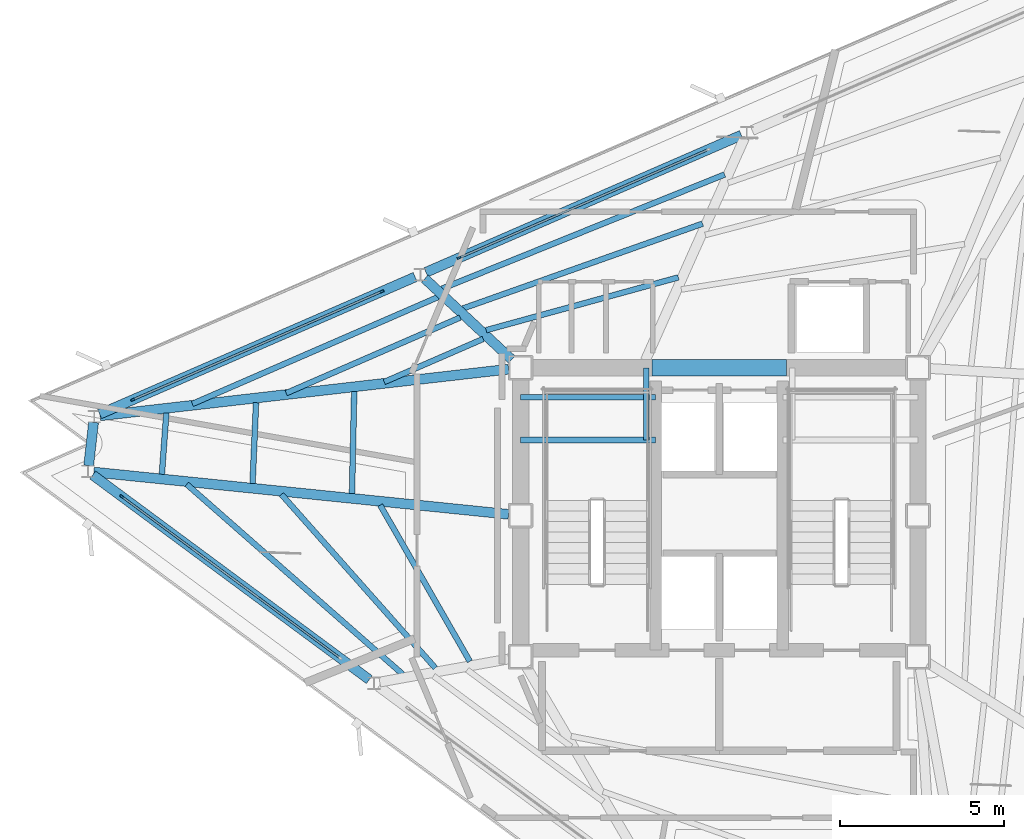
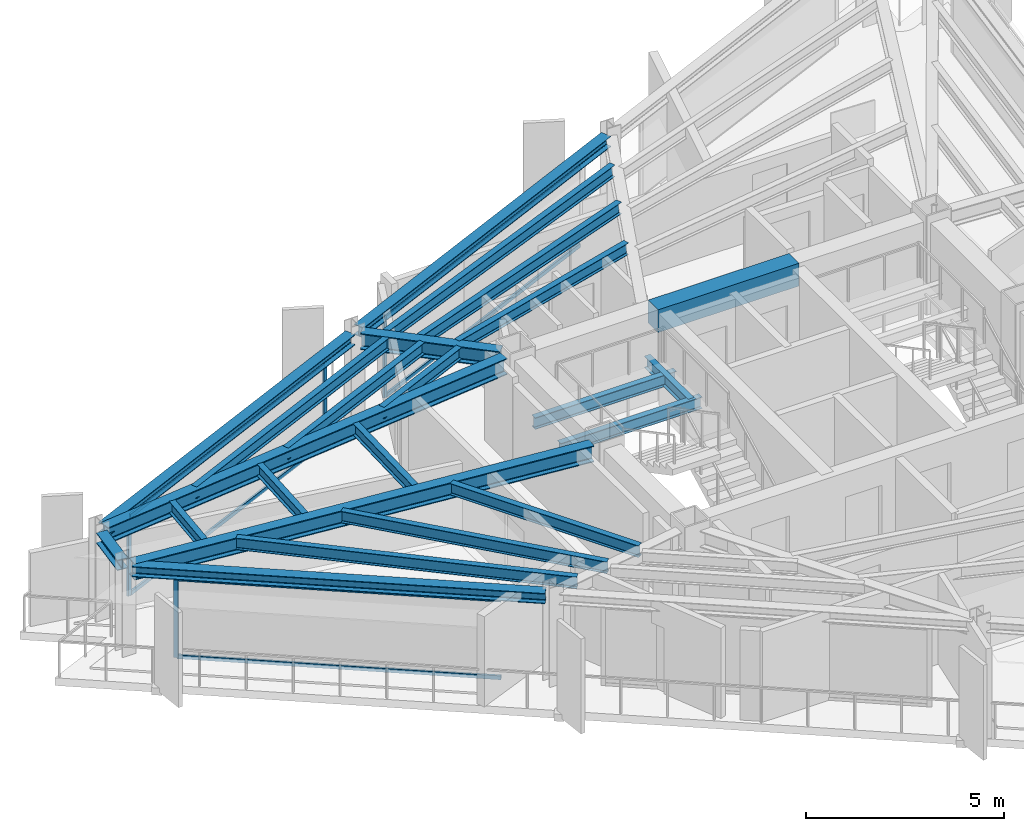
# One storey, part 3 of 10: 23 beams, 10 members, 3 elements without a shape of their own.
"""IFC4 building model written with IfcOpenShell, lengths in metres."""

from ifc_helpers import new_model, si_unit, direction, frame, origin, origin_2d, place, context, subcontext, project, spatial, rectangle, i_section, extrude, material, layer, layer_set, material_profile, profile_set, type_object, element, aggregate, save


model = new_model("IFC4")

# Units and contexts
model_context = context("Model", 3, precision=1e-05, world=origin(), true_north=direction((0.0, 1.0)))
body_context = subcontext(model_context, "Body", "Model", "MODEL_VIEW")
ifc_project = project(units=[si_unit("LENGTHUNIT", "METRE"), si_unit("AREAUNIT", "SQUARE_METRE"), si_unit("VOLUMEUNIT", "CUBIC_METRE"), si_unit("PLANEANGLEUNIT", "RADIAN"), si_unit("MASSUNIT", "GRAM", prefix="KILO")], contexts=[model_context])

# Site, building, storey
site_placement = place(None, origin())
site = spatial("IfcSite", under=ifc_project, at=site_placement, CompositionType="ELEMENT")
building_placement = place(site_placement, origin())
building = spatial("IfcBuilding", under=site, at=building_placement, Name="Rocaltana Carrier Exchange", CompositionType="ELEMENT")
storey_placement = place(building_placement, frame((0.0, 0.0, 220.9599609375)))
storey = spatial("IfcBuildingStorey", under=building, at=storey_placement, Name="L70", CompositionType="ELEMENT", Elevation=220.9599609375)

# Curtain wall, member
ifc_material_1 = material(Name="Aluminium 6063-T6", Category="aluminium")
ifc_layer = layer(ifc_material_1, 0.1201171875)
ifc_layer_set = layer_set([ifc_layer], Name="Aluminium 6063-T6")
curtain_wall_type = type_object("IfcCurtainWallType", Name="High-Altitude Thermal Curtain Wall CW-05", PredefinedType="NOTDEFINED", material=ifc_layer_set)
curtain_wall_1_placement = place(storey_placement, origin())
curtain_wall_1 = element("IfcCurtainWall", 1, at=curtain_wall_1_placement, inside=storey, type_object=curtain_wall_type, Name="L70 CW-05 Run CW-L70-F2S2", PredefinedType="NOTDEFINED")
ifc_material_2 = material(Name="Aluminium 6063-T6", Category="aluminium")
ifc_material_profile_1 = material_profile(ifc_material_2, rectangle(XDim=0.06005859375, YDim=0.1201171875, at=origin_2d()), Name="AL-60X120")
ifc_profile_set_1 = profile_set([ifc_material_profile_1], Name="Aluminium 6063-T6")
member_type_1 = type_object("IfcMemberType", Name="CW-05 Mullion AL-60X120", PredefinedType="MULLION", material=ifc_profile_set_1)
member_1_placement = place(storey_placement, frame((-7.922607421875, 7.846435546875, 0.0), z_axis=(0.0, 0.0, 1.0), x_axis=(0.398752438254, -0.917058609352, 0.0)))
member_1 = element("IfcMember", 2, at=member_1_placement, type_object=member_type_1, Name="CW-05 mullion 2", PredefinedType="MULLION", context=body_context, shape_type="SweptSolid", body=[
    extrude(rectangle(XDim=0.06005859375, YDim=0.1201171875, at=origin_2d()), origin(), (0.0, 0.0, 1.0), 2.447998046875),
])

# Curtain wall, members
curtain_wall_2_placement = place(storey_placement, origin())
curtain_wall_2 = element("IfcCurtainWall", 3, at=curtain_wall_2_placement, inside=storey, type_object=curtain_wall_type, Name="L70 CW-05 Run CW-L70-F2S3", PredefinedType="NOTDEFINED")
member_2_placement = place(storey_placement, frame((-10.270263671875, 6.82568359375, 0.0), z_axis=(0.0, 0.0, 1.0), x_axis=(0.39875682637, -0.917056701313, 0.0)))
member_2 = element("IfcMember", 4, at=member_2_placement, type_object=member_type_1, Name="CW-05 mullion 1", PredefinedType="MULLION", context=body_context, shape_type="SweptSolid", body=[
    extrude(rectangle(XDim=0.06005859375, YDim=0.1201171875, at=origin_2d()), origin(), (0.0, 0.0, 1.0), 2.447998046875),
])
member_3_placement = place(storey_placement, frame((-17.857421875, 3.526611328125, 0.0), z_axis=(0.0, 0.0, 1.0), x_axis=(0.39875682637, -0.917056701313, 0.0)))
member_3 = element("IfcMember", 5, at=member_3_placement, type_object=member_type_1, Name="CW-05 mullion 2", PredefinedType="MULLION", context=body_context, shape_type="SweptSolid", body=[
    extrude(rectangle(XDim=0.06005859375, YDim=0.1201171875, at=origin_2d()), origin(), (0.0, 0.0, 1.0), 2.447998046875),
])

# Curtain wall, member
curtain_wall_3_placement = place(storey_placement, origin())
curtain_wall_3 = element("IfcCurtainWall", 6, at=curtain_wall_3_placement, inside=storey, type_object=curtain_wall_type, Name="L70 CW-05 Run CW-L70-F3S1", PredefinedType="NOTDEFINED")
member_4_placement = place(storey_placement, frame((-18.19287109375, 0.580810546875, 0.0), z_axis=(0.0, 0.0, 1.0), x_axis=(0.594826566974, 0.803854063386, 0.0)))
member_4 = element("IfcMember", 7, at=member_4_placement, type_object=member_type_1, Name="CW-05 mullion 1", PredefinedType="MULLION", context=body_context, shape_type="SweptSolid", body=[
    extrude(rectangle(XDim=0.06005859375, YDim=0.1201171875, at=origin_2d()), origin(), (0.0, 0.0, 1.0), 2.447998046875),
])

# Member
ifc_material_3 = material(Name="Aluminium 6063-T6", Category="aluminium")
ifc_material_profile_2 = material_profile(ifc_material_3, rectangle(XDim=0.06005859375, YDim=0.1201171875, at=origin_2d()), Name="AL-60X120")
ifc_profile_set_2 = profile_set([ifc_material_profile_2], Name="Aluminium 6063-T6")
member_type_2 = type_object("IfcMemberType", Name="CW-05 Transom AL-60X120", PredefinedType="USERDEFINED", material=ifc_profile_set_2)
member_5_placement = place(storey_placement, frame((-0.36279296875, 11.133544921875, 0.030029296875), z_axis=(-0.917058241688, -0.398753283814, 0.0), x_axis=(0.398753283814, -0.917058241688, 0.0)))
member_5 = element("IfcMember", 8, at=member_5_placement, type_object=member_type_2, Name="CW-05 transom 1.1", ObjectType="TRANSOM", PredefinedType="USERDEFINED", context=body_context, shape_type="SweptSolid", body=[
    extrude(rectangle(XDim=0.06005859375, YDim=0.1201171875, at=origin_2d()), origin(), (0.0, 0.0, 1.0), 8.21337890625),
])

member_6_placement = place(storey_placement, frame((-0.36279296875, 11.133544921875, 2.41796875), z_axis=(-0.917058241688, -0.398753283814, 0.0), x_axis=(0.398753283814, -0.917058241688, 0.0)))
member_6 = element("IfcMember", 9, at=member_6_placement, type_object=member_type_2, Name="CW-05 transom 1.2", ObjectType="TRANSOM", PredefinedType="USERDEFINED", context=body_context, shape_type="SweptSolid", body=[
    extrude(rectangle(XDim=0.06005859375, YDim=0.1201171875, at=origin_2d()), origin(), (0.0, 0.0, 1.0), 8.21337890625),
])

aggregate(curtain_wall_1, [member_1, member_5, member_6])

member_7_placement = place(storey_placement, frame((-10.297607421875, 6.813720703125, 0.030029296875), z_axis=(-0.917058241688, -0.398753283814, 0.0), x_axis=(0.398753283814, -0.917058241688, 0.0)))
member_7 = element("IfcMember", 10, at=member_7_placement, type_object=member_type_2, Name="CW-05 transom 1.1", ObjectType="TRANSOM", PredefinedType="USERDEFINED", context=body_context, shape_type="SweptSolid", body=[
    extrude(rectangle(XDim=0.06005859375, YDim=0.1201171875, at=origin_2d()), origin(), (0.0, 0.0, 1.0), 8.21337890625),
])

member_8_placement = place(storey_placement, frame((-10.297607421875, 6.813720703125, 2.41796875), z_axis=(-0.917058241688, -0.398753283814, 0.0), x_axis=(0.398753283814, -0.917058241688, 0.0)))
member_8 = element("IfcMember", 11, at=member_8_placement, type_object=member_type_2, Name="CW-05 transom 1.2", ObjectType="TRANSOM", PredefinedType="USERDEFINED", context=body_context, shape_type="SweptSolid", body=[
    extrude(rectangle(XDim=0.06005859375, YDim=0.1201171875, at=origin_2d()), origin(), (0.0, 0.0, 1.0), 8.21337890625),
])

aggregate(curtain_wall_2, [member_2, member_3, member_7, member_8])

member_9_placement = place(storey_placement, frame((-18.1689453125, 0.56298828125, 0.030029296875), z_axis=(0.803853553959, -0.594827255418, 0.0), x_axis=(0.594827255418, 0.803853553959, 0.0)))
member_9 = element("IfcMember", 12, at=member_9_placement, type_object=member_type_2, Name="CW-05 transom 1.1", ObjectType="TRANSOM", PredefinedType="USERDEFINED", context=body_context, shape_type="SweptSolid", body=[
    extrude(rectangle(XDim=0.06005859375, YDim=0.1201171875, at=origin_2d()), origin(), (0.0, 0.0, 1.0), 8.21337890625),
])

member_10_placement = place(storey_placement, frame((-18.1689453125, 0.56298828125, 2.41796875), z_axis=(0.803853553959, -0.594827255418, 0.0), x_axis=(0.594827255418, 0.803853553959, 0.0)))
member_10 = element("IfcMember", 13, at=member_10_placement, type_object=member_type_2, Name="CW-05 transom 1.2", ObjectType="TRANSOM", PredefinedType="USERDEFINED", context=body_context, shape_type="SweptSolid", body=[
    extrude(rectangle(XDim=0.06005859375, YDim=0.1201171875, at=origin_2d()), origin(), (0.0, 0.0, 1.0), 8.21337890625),
])

aggregate(curtain_wall_3, [member_4, member_9, member_10])

# Beams
ifc_material_4 = material(Name="Concrete C60/75", Category="concrete")
ifc_material_profile_3 = material_profile(ifc_material_4, rectangle(XDim=0.5, YDim=0.699951171875, at=origin_2d()), Name="RC-BM-500X700")
ifc_profile_set_3 = profile_set([ifc_material_profile_3], Name="Concrete C60/75")
beam_type_1 = type_object("IfcBeamType", Name="Core Coupling Lintel 500x700", PredefinedType="LINTEL", material=ifc_profile_set_3)
beam_1_placement = place(storey_placement, frame((-2.050048828125, 4.5, 2.447998046875), z_axis=(1.0, 0.0, 0.0), x_axis=(0.0, 1.0, 0.0)))
element("IfcBeam", 14, at=beam_1_placement, inside=storey, type_object=beam_type_1, Name="L70 Core Coupling Lintel CL-N", PredefinedType="LINTEL", context=body_context, shape_type="SweptSolid", body=[
    extrude(rectangle(XDim=0.5, YDim=0.699951171875, at=origin_2d()), origin(), (0.0, 0.0, 1.0), 4.10009765625),
])
ifc_material_5 = material(Name="Steel S355", Category="steel")
ifc_material_profile_4 = material_profile(ifc_material_5, i_section(OverallWidth=0.172119140625, OverallDepth=0.35791015625, WebThickness=0.0078125, FlangeThickness=0.01318359375, FilletRadius=0.011962890625, at=origin_2d()), Name="W14X38")
ifc_profile_set_4 = profile_set([ifc_material_profile_4], Name="Steel S355")
beam_type_2 = type_object("IfcBeamType", Name="Floor Joist W14X38", PredefinedType="JOIST", material=ifc_profile_set_4)
for number, where, z_axis, x_axis, name in (
    (15, (-6.050048828125, 2.300048828125, 1.14111328125), (1.0, 0.0, 0.0), (0.0, 1.0, 0.0), "L70 ST-1 Landing Carrier 1"),
    (16, (-6.050048828125, 3.60009765625, 1.14111328125), (1.0, 0.0, 0.0), (0.0, 1.0, 0.0), "L70 ST-1 Landing Carrier 2"),
):
    element("IfcBeam", number, at=place(storey_placement, frame(where, z_axis=z_axis, x_axis=x_axis)), inside=storey, type_object=beam_type_2, Name=name, PredefinedType="JOIST", context=body_context, shape_type="SweptSolid", body=[
        extrude(i_section(OverallWidth=0.172119140625, OverallDepth=0.35791015625, WebThickness=0.0078125, FlangeThickness=0.01318359375, FilletRadius=0.011962890625, at=origin_2d()), origin(), (0.0, 0.0, 1.0), 4.110107421875),
    ])
beam_2_placement = place(storey_placement, frame((-2.219970703125, 2.300048828125, 1.14111328125), z_axis=(0.0, 1.0, 0.0), x_axis=(-1.0, 0.0, 0.0)))
element("IfcBeam", 17, at=beam_2_placement, inside=storey, type_object=beam_type_2, Name="L70 ST-1 Landing Cross Trimmer", PredefinedType="JOIST", context=body_context, shape_type="SweptSolid", body=[
    extrude(i_section(OverallWidth=0.172119140625, OverallDepth=0.35791015625, WebThickness=0.0078125, FlangeThickness=0.01318359375, FilletRadius=0.011962890625, at=origin_2d()), origin(), (0.0, 0.0, 1.0), 2.199951171875),
])
beam_3_placement = place(storey_placement, frame((-1.245361328125, 7.252685546875, 2.619140625), z_axis=(-0.964263719162, -0.26494429586, 0.0), x_axis=(0.26494429586, -0.964263719162, 0.0)))
element("IfcBeam", 18, at=beam_3_placement, inside=storey, type_object=beam_type_2, Name="FJ-L70-06-1", PredefinedType="JOIST", context=body_context, shape_type="SweptSolid", body=[
    extrude(i_section(OverallWidth=0.172119140625, OverallDepth=0.35791015625, WebThickness=0.0078125, FlangeThickness=0.01318359375, FilletRadius=0.011962890625, at=origin_2d()), origin(), (0.0, 0.0, 1.0), 6.07080078125),
])
beam_4_placement = place(storey_placement, frame((-0.5087890625, 8.888427734375, 2.619140625), z_axis=(-0.942681203014, -0.333694695019, 0.0), x_axis=(0.333694695019, -0.942681203014, 0.0)))
element("IfcBeam", 19, at=beam_4_placement, inside=storey, type_object=beam_type_2, Name="FJ-L70-06-2", PredefinedType="JOIST", context=body_context, shape_type="SweptSolid", body=[
    extrude(i_section(OverallWidth=0.172119140625, OverallDepth=0.35791015625, WebThickness=0.0078125, FlangeThickness=0.01318359375, FilletRadius=0.011962890625, at=origin_2d()), origin(), (0.0, 0.0, 1.0), 7.73779296875),
])
beam_5_placement = place(storey_placement, frame((0.162841796875, 10.385498046875, 2.619140625), z_axis=(-0.927185285553, -0.374603051582, 0.0), x_axis=(0.374603051582, -0.927185285553, 0.0)))
element("IfcBeam", 20, at=beam_5_placement, inside=storey, type_object=beam_type_2, Name="FJ-L70-06-3", PredefinedType="JOIST", context=body_context, shape_type="SweptSolid", body=[
    extrude(i_section(OverallWidth=0.172119140625, OverallDepth=0.35791015625, WebThickness=0.0078125, FlangeThickness=0.01318359375, FilletRadius=0.011962890625, at=origin_2d()), origin(), (0.0, 0.0, 1.0), 9.283935546875),
])
beam_6_placement = place(storey_placement, frame((-7.1875, 5.37841796875, 2.619140625), z_axis=(-0.917065332478, -0.398736975923, 0.0), x_axis=(0.398736975923, -0.917065332478, 0.0)))
element("IfcBeam", 21, at=beam_6_placement, inside=storey, type_object=beam_type_2, Name="FJ-L70-07-1", PredefinedType="JOIST", context=body_context, shape_type="SweptSolid", body=[
    extrude(i_section(OverallWidth=0.172119140625, OverallDepth=0.35791015625, WebThickness=0.0078125, FlangeThickness=0.01318359375, FilletRadius=0.011962890625, at=origin_2d()), origin(), (0.0, 0.0, 1.0), 3.286865234375),
])
beam_7_placement = place(storey_placement, frame((-7.887939453125, 6.03076171875, 2.619140625), z_axis=(-0.917067369584, -0.398732290696, 0.0), x_axis=(0.398732290696, -0.917067369584, 0.0)))
element("IfcBeam", 22, at=beam_7_placement, inside=storey, type_object=beam_type_2, Name="FJ-L70-07-2", PredefinedType="JOIST", context=body_context, shape_type="SweptSolid", body=[
    extrude(i_section(OverallWidth=0.172119140625, OverallDepth=0.35791015625, WebThickness=0.0078125, FlangeThickness=0.01318359375, FilletRadius=0.011962890625, at=origin_2d()), origin(), (0.0, 0.0, 1.0), 5.77880859375),
])
beam_8_placement = place(storey_placement, frame((-8.55810546875, 6.65478515625, 2.619140625), z_axis=(-0.917059118447, -0.398751267426, 0.0), x_axis=(0.398751267426, -0.917059118447, 0.0)))
element("IfcBeam", 23, at=beam_8_placement, inside=storey, type_object=beam_type_2, Name="FJ-L70-07-3", PredefinedType="JOIST", context=body_context, shape_type="SweptSolid", body=[
    extrude(i_section(OverallWidth=0.172119140625, OverallDepth=0.35791015625, WebThickness=0.0078125, FlangeThickness=0.01318359375, FilletRadius=0.011962890625, at=origin_2d()), origin(), (0.0, 0.0, 1.0), 8.162109375),
])
beam_9_placement = place(storey_placement, frame((-11.11572265625, 3.77734375, 2.619140625), z_axis=(-0.021897715524, -0.999760216279, 0.0), x_axis=(0.999760216279, -0.021897715524, 0.0)))
element("IfcBeam", 24, at=beam_9_placement, inside=storey, type_object=beam_type_2, Name="FJ-L70-08-1", PredefinedType="JOIST", context=body_context, shape_type="SweptSolid", body=[
    extrude(i_section(OverallWidth=0.172119140625, OverallDepth=0.35791015625, WebThickness=0.0078125, FlangeThickness=0.01318359375, FilletRadius=0.011962890625, at=origin_2d()), origin(), (0.0, 0.0, 1.0), 3.110595703125),
])
beam_10_placement = place(storey_placement, frame((-14.1044921875, 3.436279296875, 2.619140625), z_axis=(-0.04302848557, -0.999073845834, 0.0), x_axis=(0.999073845834, -0.04302848557, 0.0)))
element("IfcBeam", 25, at=beam_10_placement, inside=storey, type_object=beam_type_2, Name="FJ-L70-08-2", PredefinedType="JOIST", context=body_context, shape_type="SweptSolid", body=[
    extrude(i_section(OverallWidth=0.172119140625, OverallDepth=0.35791015625, WebThickness=0.0078125, FlangeThickness=0.01318359375, FilletRadius=0.011962890625, at=origin_2d()), origin(), (0.0, 0.0, 1.0), 2.46240234375),
])
beam_11_placement = place(storey_placement, frame((-16.8349609375, 3.124755859375, 2.619140625), z_axis=(-0.07328566638, -0.997310990165, 0.0), x_axis=(0.997310990165, -0.07328566638, 0.0)))
element("IfcBeam", 26, at=beam_11_placement, inside=storey, type_object=beam_type_2, Name="FJ-L70-08-3", PredefinedType="JOIST", context=body_context, shape_type="SweptSolid", body=[
    extrude(i_section(OverallWidth=0.172119140625, OverallDepth=0.35791015625, WebThickness=0.0078125, FlangeThickness=0.01318359375, FilletRadius=0.011962890625, at=origin_2d()), origin(), (0.0, 0.0, 1.0), 1.872314453125),
])
beam_12_placement = place(storey_placement, frame((-10.3251953125, 0.318115234375, 2.619140625), z_axis=(0.497781973969, -0.867302200153, 0.0), x_axis=(0.867302200153, 0.497781973969, 0.0)))
element("IfcBeam", 27, at=beam_12_placement, inside=storey, type_object=beam_type_2, Name="FJ-L70-09-1", PredefinedType="JOIST", context=body_context, shape_type="SweptSolid", body=[
    extrude(i_section(OverallWidth=0.172119140625, OverallDepth=0.35791015625, WebThickness=0.0078125, FlangeThickness=0.01318359375, FilletRadius=0.011962890625, at=origin_2d()), origin(), (0.0, 0.0, 1.0), 5.48583984375),
])
beam_13_placement = place(storey_placement, frame((-13.330810546875, 0.643798828125, 2.619140625), z_axis=(0.663404294512, -0.748261145605, 0.0), x_axis=(0.748261145605, 0.663404294512, 0.0)))
element("IfcBeam", 28, at=beam_13_placement, inside=storey, type_object=beam_type_2, Name="FJ-L70-09-2", PredefinedType="JOIST", context=body_context, shape_type="SweptSolid", body=[
    extrude(i_section(OverallWidth=0.172119140625, OverallDepth=0.35791015625, WebThickness=0.0078125, FlangeThickness=0.01318359375, FilletRadius=0.011962890625, at=origin_2d()), origin(), (0.0, 0.0, 1.0), 7.063232421875),
])
beam_14_placement = place(storey_placement, frame((-16.2158203125, 0.951904296875, 2.619140625), z_axis=(0.750985569643, -0.66031861566, 0.0), x_axis=(0.66031861566, 0.750985569643, 0.0)))
element("IfcBeam", 29, at=beam_14_placement, inside=storey, type_object=beam_type_2, Name="FJ-L70-09-3", PredefinedType="JOIST", context=body_context, shape_type="SweptSolid", body=[
    extrude(i_section(OverallWidth=0.172119140625, OverallDepth=0.35791015625, WebThickness=0.0078125, FlangeThickness=0.01318359375, FilletRadius=0.011962890625, at=origin_2d()), origin(), (0.0, 0.0, 1.0), 8.7568359375),
])
ifc_material_6 = material(Name="Steel S355", Category="steel")
ifc_material_profile_5 = material_profile(ifc_material_6, i_section(OverallWidth=0.300048828125, OverallDepth=0.320068359375, WebThickness=0.011474609375, FlangeThickness=0.0205078125, FilletRadius=0.027099609375, at=origin_2d()), Name="HEB320")
ifc_profile_set_5 = profile_set([ifc_material_profile_5], Name="Steel S355")
beam_type_3 = type_object("IfcBeamType", Name="Spandrel Edge Beam HEB320", PredefinedType="SPANDREL", material=ifc_profile_set_5)
for number, where, z_axis, x_axis, name in (
    (30, (0.673828125, 11.584228515625, 2.637939453125), (-0.917065980028, -0.398735486602, 0.0), (0.398735486602, -0.917065980028, 0.0), "SP-L70-06"),
    (31, (-9.260986328125, 7.264404296875, 2.637939453125), (-0.917065980028, -0.398735486602, 0.0), (0.398735486602, -0.917065980028, 0.0), "SP-L70-07"),
):
    element("IfcBeam", number, at=place(storey_placement, frame(where, z_axis=z_axis, x_axis=x_axis)), inside=storey, type_object=beam_type_3, Name=name, PredefinedType="SPANDREL", context=body_context, shape_type="SweptSolid", body=[
        extrude(i_section(OverallWidth=0.300048828125, OverallDepth=0.320068359375, WebThickness=0.011474609375, FlangeThickness=0.0205078125, FilletRadius=0.027099609375, at=origin_2d()), origin(), (0.0, 0.0, 1.0), 10.474365234375),
    ])
beam_15_placement = place(storey_placement, frame((-19.051513671875, 2.837890625, 2.637939453125), z_axis=(-0.113240196336, -0.993567641348, 0.0), x_axis=(0.993567641348, -0.113240196336, 0.0)))
element("IfcBeam", 32, at=beam_15_placement, inside=storey, type_object=beam_type_3, Name="SP-L70-08", PredefinedType="SPANDREL", context=body_context, shape_type="SweptSolid", body=[
    extrude(i_section(OverallWidth=0.300048828125, OverallDepth=0.320068359375, WebThickness=0.011474609375, FlangeThickness=0.0205078125, FilletRadius=0.027099609375, at=origin_2d()), origin(), (0.0, 0.0, 1.0), 1.325927734375),
])
beam_16_placement = place(storey_placement, frame((-19.07763671875, 1.2353515625, 2.637939453125), z_axis=(0.803854381492, -0.594826137082, 0.0), x_axis=(0.594826137082, 0.803854381492, 0.0)))
element("IfcBeam", 33, at=beam_16_placement, inside=storey, type_object=beam_type_3, Name="SP-L70-09", PredefinedType="SPANDREL", context=body_context, shape_type="SweptSolid", body=[
    extrude(i_section(OverallWidth=0.300048828125, OverallDepth=0.320068359375, WebThickness=0.011474609375, FlangeThickness=0.0205078125, FilletRadius=0.027099609375, at=origin_2d()), origin(), (0.0, 0.0, 1.0), 10.474365234375),
])
ifc_material_7 = material(Name="Steel S355", Category="steel")
ifc_material_profile_6 = material_profile(ifc_material_7, i_section(OverallWidth=0.300048828125, OverallDepth=0.5, WebThickness=0.014404296875, FlangeThickness=0.028076171875, FilletRadius=0.027099609375, at=origin_2d()), Name="HEB500")
ifc_profile_set_6 = profile_set([ifc_material_profile_6], Name="Steel S355")
beam_type_4 = type_object("IfcBeamType", Name="Upper Radial Girder HEB500", PredefinedType="BEAM", material=ifc_profile_set_6)
beam_17_placement = place(storey_placement, frame((-6.318603515625, 4.75, 2.548095703125), z_axis=(-0.731941582308, 0.681367389951, 0.0), x_axis=(-0.681367389951, -0.731941582308, 0.0)))
element("IfcBeam", 34, at=beam_17_placement, inside=storey, type_object=beam_type_4, Name="RG-L70-07", PredefinedType="BEAM", context=body_context, shape_type="SweptSolid", body=[
    extrude(i_section(OverallWidth=0.300048828125, OverallDepth=0.5, WebThickness=0.014404296875, FlangeThickness=0.028076171875, FilletRadius=0.027099609375, at=origin_2d()), origin(), (0.0, 0.0, 1.0), 3.61572265625),
])
beam_18_placement = place(storey_placement, frame((-6.41455078125, 4.458251953125, 2.548095703125), z_axis=(-0.993531604049, -0.113555941083, 0.0), x_axis=(0.113555941083, -0.993531604049, 0.0)))
element("IfcBeam", 35, at=beam_18_placement, inside=storey, type_object=beam_type_4, Name="RG-L70-08", PredefinedType="BEAM", context=body_context, shape_type="SweptSolid", body=[
    extrude(i_section(OverallWidth=0.300048828125, OverallDepth=0.5, WebThickness=0.014404296875, FlangeThickness=0.028076171875, FilletRadius=0.027099609375, at=origin_2d()), origin(), (0.0, 0.0, 1.0), 12.519287109375),
])
beam_19_placement = place(storey_placement, frame((-6.4150390625, 0.037109375, 2.548095703125), z_axis=(-0.994847848946, 0.10137927524, 0.0), x_axis=(-0.10137927524, -0.994847848946, 0.0)))
element("IfcBeam", 36, at=beam_19_placement, inside=storey, type_object=beam_type_4, Name="RG-L70-09", PredefinedType="BEAM", context=body_context, shape_type="SweptSolid", body=[
    extrude(i_section(OverallWidth=0.300048828125, OverallDepth=0.5, WebThickness=0.014404296875, FlangeThickness=0.028076171875, FilletRadius=0.027099609375, at=origin_2d()), origin(), (0.0, 0.0, 1.0), 12.693603515625),
])

save(model, "model.ifc")
